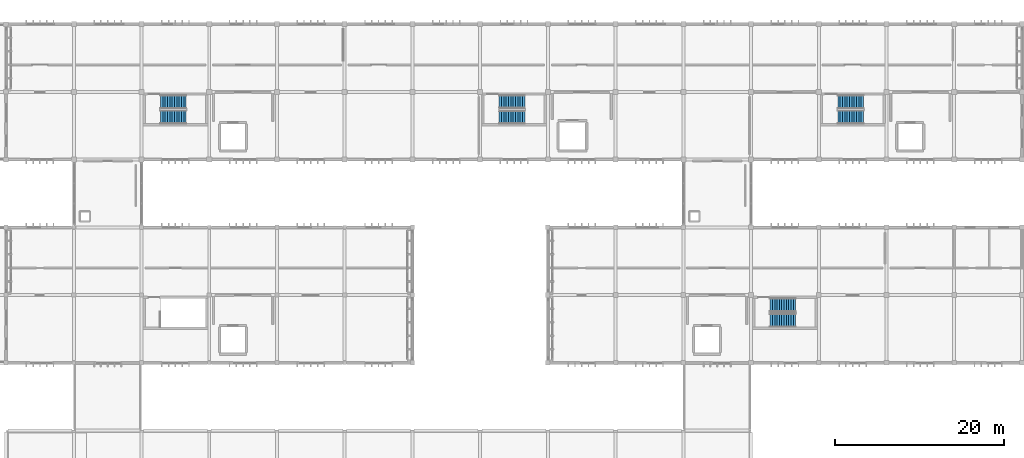
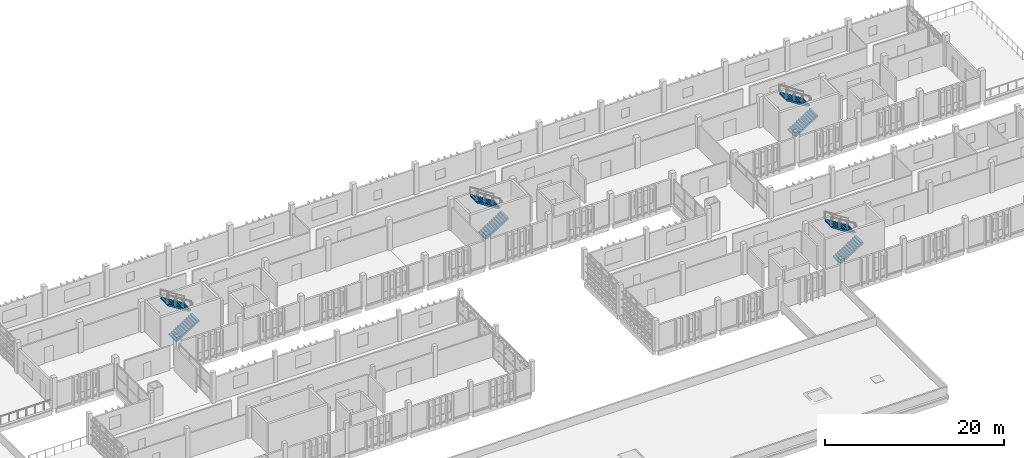
# One storey, part 40 of 48: 8 stair flights, 4 elements without a shape of their own.
"""IFC4 building model written with IfcOpenShell, lengths in metres."""

from ifc_helpers import new_model, si_unit, direction, frame, origin, place, context, subcontext, project, spatial, polyline, outline, extrude, material, type_object, element, aggregate, save


model = new_model("IFC4")

# Units and contexts
model_context = context("Model", 3, precision=1e-05, world=origin(), true_north=direction((0.0, 1.0)))
body_context = subcontext(model_context, "Body", "Model", "MODEL_VIEW")
ifc_project = project(units=[si_unit("LENGTHUNIT", "METRE"), si_unit("AREAUNIT", "SQUARE_METRE"), si_unit("VOLUMEUNIT", "CUBIC_METRE"), si_unit("PLANEANGLEUNIT", "RADIAN"), si_unit("MASSUNIT", "GRAM", prefix="KILO")], contexts=[model_context])

# Site, building, storey
site_placement = place(None, origin())
site = spatial("IfcSite", under=ifc_project, at=site_placement, CompositionType="ELEMENT")
building_placement = place(site_placement, origin())
building = spatial("IfcBuilding", under=site, at=building_placement, Name="Jelvoka-Kovrelna Polytechnic", CompositionType="ELEMENT")
storey_placement = place(building_placement, frame((0.0, 0.0, 22.199951171875)))
storey = spatial("IfcBuildingStorey", under=building, at=storey_placement, Name="L06", CompositionType="ELEMENT", Elevation=22.199951171875)

# Stair, stair flights
ifc_material_1 = material(Name="Concrete C35/45", Category="concrete")
stair_type_1 = type_object("IfcStairType", Name="Stair_Dogleg_1620", PredefinedType="TWO_STRAIGHT_RUN_STAIR", material=ifc_material_1)
stair_1_placement = place(storey_placement, origin())
stair_1 = element("IfcStair", 1, at=stair_1_placement, inside=storey, type_object=stair_type_1, Name="L06 ST08", PredefinedType="TWO_STRAIGHT_RUN_STAIR")
ifc_material_2 = material(Name="Concrete C35/45", Category="concrete")
stair_flight_type = type_object("IfcStairFlightType", Name="Flight_RC_175", PredefinedType="STRAIGHT", material=ifc_material_2)
stair_flight_1_placement = place(storey_placement, frame((154.25, 37.010009765625, 0.0), z_axis=(0.0, 0.0, 1.0), x_axis=(1.0, 0.0, 0.0)))
stair_flight_1 = element("IfcStairFlight", 2, at=stair_flight_1_placement, type_object=stair_flight_type, Name="ST08 flight 1", NumberOfRisers=12, NumberOfTreads=11, PredefinedType="STRAIGHT", RiserHeight=0.175, TreadLength=0.275, context=body_context, shape_type="SweptSolid", body=[
    extrude(outline(polyline([(0.0, 0.0), (0.0, 0.175048828125), (0.27490234375, 0.175048828125), (0.27490234375, 0.35009765625), (0.550048828125, 0.35009765625), (0.550048828125, 0.52490234375), (0.824951171875, 0.52490234375), (0.824951171875, 0.699951171875), (1.10009765625, 0.699951171875), (1.10009765625, 0.875), (1.375, 0.875), (1.375, 1.050048828125), (1.64990234375, 1.050048828125), (1.64990234375, 1.22509765625), (1.925048828125, 1.22509765625), (1.925048828125, 1.39990234375), (2.199951171875, 1.39990234375), (2.199951171875, 1.574951171875), (2.47509765625, 1.574951171875), (2.47509765625, 1.75), (2.75, 1.75), (2.75, 1.925048828125), (3.02490234375, 1.925048828125), (3.02490234375, 2.10009765625), (3.02490234375, 1.711669921875), (0.335205078125, 0.0), (0.0, 0.0)])), frame((0.0, 0.81005859375, 0.0), z_axis=(0.0, -1.0, 0.0), x_axis=(1.0, 0.0, 0.0)), (0.0, 0.0, 1.0), 1.6201171875),
])
stair_flight_2_placement = place(storey_placement, frame((157.27490234375, 38.830078125, 2.10009765625), z_axis=(0.0, 0.0, 1.0), x_axis=(-1.0, 0.0, 0.0)))
stair_flight_2 = element("IfcStairFlight", 3, at=stair_flight_2_placement, type_object=stair_flight_type, Name="ST08 flight 2", NumberOfRisers=12, NumberOfTreads=11, PredefinedType="STRAIGHT", RiserHeight=0.175, TreadLength=0.275, context=body_context, shape_type="SweptSolid", body=[
    extrude(outline(polyline([(0.0, 0.0), (0.0, 0.175048828125), (0.27490234375, 0.175048828125), (0.27490234375, 0.35009765625), (0.550048828125, 0.35009765625), (0.550048828125, 0.52490234375), (0.824951171875, 0.52490234375), (0.824951171875, 0.699951171875), (1.10009765625, 0.699951171875), (1.10009765625, 0.875), (1.375, 0.875), (1.375, 1.050048828125), (1.64990234375, 1.050048828125), (1.64990234375, 1.22509765625), (1.925048828125, 1.22509765625), (1.925048828125, 1.39990234375), (2.199951171875, 1.39990234375), (2.199951171875, 1.574951171875), (2.47509765625, 1.574951171875), (2.47509765625, 1.75), (2.75, 1.75), (2.75, 1.925048828125), (3.02490234375, 1.925048828125), (3.02490234375, 2.10009765625), (3.02490234375, 1.711669921875), (0.335205078125, 0.0), (0.0, 0.0)])), frame((0.0, 0.81005859375, 0.0), z_axis=(0.0, -1.0, 0.0), x_axis=(1.0, 0.0, 0.0)), (0.0, 0.0, 1.0), 1.6201171875),
])
aggregate(stair_1, [stair_flight_1, stair_flight_2])

stair_2_placement = place(storey_placement, origin())
stair_2 = element("IfcStair", 4, at=stair_2_placement, inside=storey, type_object=stair_type_1, Name="L06 ST09", PredefinedType="TWO_STRAIGHT_RUN_STAIR")
stair_flight_3_placement = place(storey_placement, frame((82.25, 61.010009765625, 0.0), z_axis=(0.0, 0.0, 1.0), x_axis=(1.0, 0.0, 0.0)))
stair_flight_3 = element("IfcStairFlight", 5, at=stair_flight_3_placement, type_object=stair_flight_type, Name="ST09 flight 1", NumberOfRisers=12, NumberOfTreads=11, PredefinedType="STRAIGHT", RiserHeight=0.175, TreadLength=0.275, context=body_context, shape_type="SweptSolid", body=[
    extrude(outline(polyline([(0.0, 0.0), (0.0, 0.175048828125), (0.27490234375, 0.175048828125), (0.27490234375, 0.35009765625), (0.550048828125, 0.35009765625), (0.550048828125, 0.52490234375), (0.824951171875, 0.52490234375), (0.824951171875, 0.699951171875), (1.10009765625, 0.699951171875), (1.10009765625, 0.875), (1.375, 0.875), (1.375, 1.050048828125), (1.64990234375, 1.050048828125), (1.64990234375, 1.22509765625), (1.925048828125, 1.22509765625), (1.925048828125, 1.39990234375), (2.199951171875, 1.39990234375), (2.199951171875, 1.574951171875), (2.47509765625, 1.574951171875), (2.47509765625, 1.75), (2.75, 1.75), (2.75, 1.925048828125), (3.02490234375, 1.925048828125), (3.02490234375, 2.10009765625), (3.02490234375, 1.711669921875), (0.335205078125, 0.0), (0.0, 0.0)])), frame((0.0, 0.81005859375, 0.0), z_axis=(0.0, -1.0, 0.0), x_axis=(1.0, 0.0, 0.0)), (0.0, 0.0, 1.0), 1.6201171875),
])
stair_flight_4_placement = place(storey_placement, frame((85.27490234375, 62.830078125, 2.10009765625), z_axis=(0.0, 0.0, 1.0), x_axis=(-1.0, 0.0, 0.0)))
stair_flight_4 = element("IfcStairFlight", 6, at=stair_flight_4_placement, type_object=stair_flight_type, Name="ST09 flight 2", NumberOfRisers=12, NumberOfTreads=11, PredefinedType="STRAIGHT", RiserHeight=0.175, TreadLength=0.275, context=body_context, shape_type="SweptSolid", body=[
    extrude(outline(polyline([(0.0, 0.0), (0.0, 0.175048828125), (0.27490234375, 0.175048828125), (0.27490234375, 0.35009765625), (0.550048828125, 0.35009765625), (0.550048828125, 0.52490234375), (0.824951171875, 0.52490234375), (0.824951171875, 0.699951171875), (1.10009765625, 0.699951171875), (1.10009765625, 0.875), (1.375, 0.875), (1.375, 1.050048828125), (1.64990234375, 1.050048828125), (1.64990234375, 1.22509765625), (1.925048828125, 1.22509765625), (1.925048828125, 1.39990234375), (2.199951171875, 1.39990234375), (2.199951171875, 1.574951171875), (2.47509765625, 1.574951171875), (2.47509765625, 1.75), (2.75, 1.75), (2.75, 1.925048828125), (3.02490234375, 1.925048828125), (3.02490234375, 2.10009765625), (3.02490234375, 1.711669921875), (0.335205078125, 0.0), (0.0, 0.0)])), frame((0.0, 0.81005859375, 0.0), z_axis=(0.0, -1.0, 0.0), x_axis=(1.0, 0.0, 0.0)), (0.0, 0.0, 1.0), 1.6201171875),
])
aggregate(stair_2, [stair_flight_3, stair_flight_4])

stair_3_placement = place(storey_placement, origin())
stair_3 = element("IfcStair", 7, at=stair_3_placement, inside=storey, type_object=stair_type_1, Name="L06 ST10", PredefinedType="TWO_STRAIGHT_RUN_STAIR")
stair_flight_5_placement = place(storey_placement, frame((162.25, 61.010009765625, 0.0), z_axis=(0.0, 0.0, 1.0), x_axis=(1.0, 0.0, 0.0)))
stair_flight_5 = element("IfcStairFlight", 8, at=stair_flight_5_placement, type_object=stair_flight_type, Name="ST10 flight 1", NumberOfRisers=12, NumberOfTreads=11, PredefinedType="STRAIGHT", RiserHeight=0.175, TreadLength=0.275, context=body_context, shape_type="SweptSolid", body=[
    extrude(outline(polyline([(0.0, 0.0), (0.0, 0.175048828125), (0.27490234375, 0.175048828125), (0.27490234375, 0.35009765625), (0.550048828125, 0.35009765625), (0.550048828125, 0.52490234375), (0.824951171875, 0.52490234375), (0.824951171875, 0.699951171875), (1.10009765625, 0.699951171875), (1.10009765625, 0.875), (1.375, 0.875), (1.375, 1.050048828125), (1.64990234375, 1.050048828125), (1.64990234375, 1.22509765625), (1.925048828125, 1.22509765625), (1.925048828125, 1.39990234375), (2.199951171875, 1.39990234375), (2.199951171875, 1.574951171875), (2.47509765625, 1.574951171875), (2.47509765625, 1.75), (2.75, 1.75), (2.75, 1.925048828125), (3.02490234375, 1.925048828125), (3.02490234375, 2.10009765625), (3.02490234375, 1.711669921875), (0.335205078125, 0.0), (0.0, 0.0)])), frame((0.0, 0.81005859375, 0.0), z_axis=(0.0, -1.0, 0.0), x_axis=(1.0, 0.0, 0.0)), (0.0, 0.0, 1.0), 1.6201171875),
])
stair_flight_6_placement = place(storey_placement, frame((165.27490234375, 62.830078125, 2.10009765625), z_axis=(0.0, 0.0, 1.0), x_axis=(-1.0, 0.0, 0.0)))
stair_flight_6 = element("IfcStairFlight", 9, at=stair_flight_6_placement, type_object=stair_flight_type, Name="ST10 flight 2", NumberOfRisers=12, NumberOfTreads=11, PredefinedType="STRAIGHT", RiserHeight=0.175, TreadLength=0.275, context=body_context, shape_type="SweptSolid", body=[
    extrude(outline(polyline([(0.0, 0.0), (0.0, 0.175048828125), (0.27490234375, 0.175048828125), (0.27490234375, 0.35009765625), (0.550048828125, 0.35009765625), (0.550048828125, 0.52490234375), (0.824951171875, 0.52490234375), (0.824951171875, 0.699951171875), (1.10009765625, 0.699951171875), (1.10009765625, 0.875), (1.375, 0.875), (1.375, 1.050048828125), (1.64990234375, 1.050048828125), (1.64990234375, 1.22509765625), (1.925048828125, 1.22509765625), (1.925048828125, 1.39990234375), (2.199951171875, 1.39990234375), (2.199951171875, 1.574951171875), (2.47509765625, 1.574951171875), (2.47509765625, 1.75), (2.75, 1.75), (2.75, 1.925048828125), (3.02490234375, 1.925048828125), (3.02490234375, 2.10009765625), (3.02490234375, 1.711669921875), (0.335205078125, 0.0), (0.0, 0.0)])), frame((0.0, 0.81005859375, 0.0), z_axis=(0.0, -1.0, 0.0), x_axis=(1.0, 0.0, 0.0)), (0.0, 0.0, 1.0), 1.6201171875),
])
aggregate(stair_3, [stair_flight_5, stair_flight_6])

ifc_material_3 = material(Name="Concrete C35/45", Category="concrete")
stair_type_2 = type_object("IfcStairType", Name="Stair_Dogleg_1580", PredefinedType="TWO_STRAIGHT_RUN_STAIR", material=ifc_material_3)
stair_4_placement = place(storey_placement, origin())
stair_4 = element("IfcStair", 10, at=stair_4_placement, inside=storey, type_object=stair_type_2, Name="L06 ST11", PredefinedType="TWO_STRAIGHT_RUN_STAIR")
stair_flight_7_placement = place(storey_placement, frame((122.25, 60.989990234375, 0.0), z_axis=(0.0, 0.0, 1.0), x_axis=(1.0, 0.0, 0.0)))
stair_flight_7 = element("IfcStairFlight", 11, at=stair_flight_7_placement, type_object=stair_flight_type, Name="ST11 flight 1", NumberOfRisers=12, NumberOfTreads=11, PredefinedType="STRAIGHT", RiserHeight=0.175, TreadLength=0.275, context=body_context, shape_type="SweptSolid", body=[
    extrude(outline(polyline([(0.0, 0.0), (0.0, 0.175048828125), (0.27490234375, 0.175048828125), (0.27490234375, 0.35009765625), (0.550048828125, 0.35009765625), (0.550048828125, 0.52490234375), (0.824951171875, 0.52490234375), (0.824951171875, 0.699951171875), (1.10009765625, 0.699951171875), (1.10009765625, 0.875), (1.375, 0.875), (1.375, 1.050048828125), (1.64990234375, 1.050048828125), (1.64990234375, 1.22509765625), (1.925048828125, 1.22509765625), (1.925048828125, 1.39990234375), (2.199951171875, 1.39990234375), (2.199951171875, 1.574951171875), (2.47509765625, 1.574951171875), (2.47509765625, 1.75), (2.75, 1.75), (2.75, 1.925048828125), (3.02490234375, 1.925048828125), (3.02490234375, 2.10009765625), (3.02490234375, 1.711669921875), (0.335205078125, 0.0), (0.0, 0.0)])), frame((0.0, 0.7900390625, 0.0), z_axis=(0.0, -1.0, 0.0), x_axis=(1.0, 0.0, 0.0)), (0.0, 0.0, 1.0), 1.580078125),
])
stair_flight_8_placement = place(storey_placement, frame((125.27490234375, 62.85009765625, 2.10009765625), z_axis=(0.0, 0.0, 1.0), x_axis=(-1.0, 0.0, 0.0)))
stair_flight_8 = element("IfcStairFlight", 12, at=stair_flight_8_placement, type_object=stair_flight_type, Name="ST11 flight 2", NumberOfRisers=12, NumberOfTreads=11, PredefinedType="STRAIGHT", RiserHeight=0.175, TreadLength=0.275, context=body_context, shape_type="SweptSolid", body=[
    extrude(outline(polyline([(0.0, 0.0), (0.0, 0.175048828125), (0.27490234375, 0.175048828125), (0.27490234375, 0.35009765625), (0.550048828125, 0.35009765625), (0.550048828125, 0.52490234375), (0.824951171875, 0.52490234375), (0.824951171875, 0.699951171875), (1.10009765625, 0.699951171875), (1.10009765625, 0.875), (1.375, 0.875), (1.375, 1.050048828125), (1.64990234375, 1.050048828125), (1.64990234375, 1.22509765625), (1.925048828125, 1.22509765625), (1.925048828125, 1.39990234375), (2.199951171875, 1.39990234375), (2.199951171875, 1.574951171875), (2.47509765625, 1.574951171875), (2.47509765625, 1.75), (2.75, 1.75), (2.75, 1.925048828125), (3.02490234375, 1.925048828125), (3.02490234375, 2.10009765625), (3.02490234375, 1.711669921875), (0.335205078125, 0.0), (0.0, 0.0)])), frame((0.0, 0.7900390625, 0.0), z_axis=(0.0, -1.0, 0.0), x_axis=(1.0, 0.0, 0.0)), (0.0, 0.0, 1.0), 1.580078125),
])
aggregate(stair_4, [stair_flight_7, stair_flight_8])

save(model, "model.ifc")
